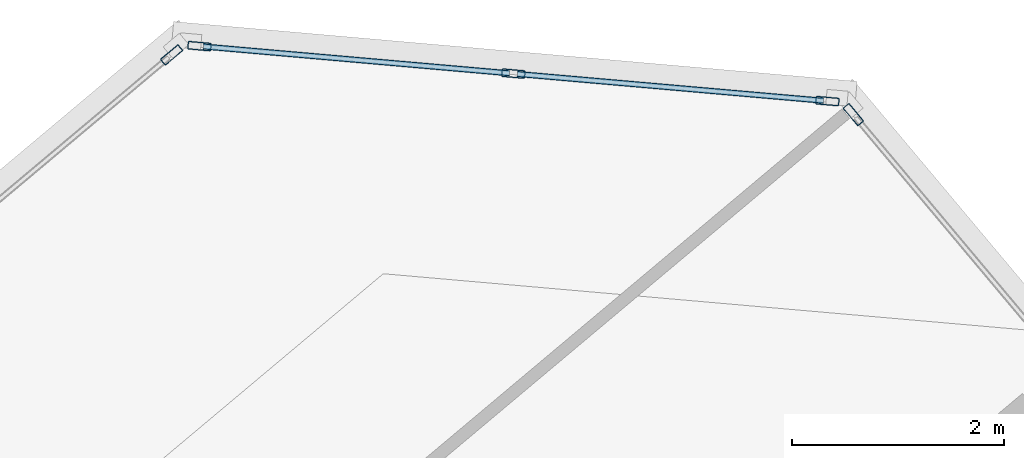
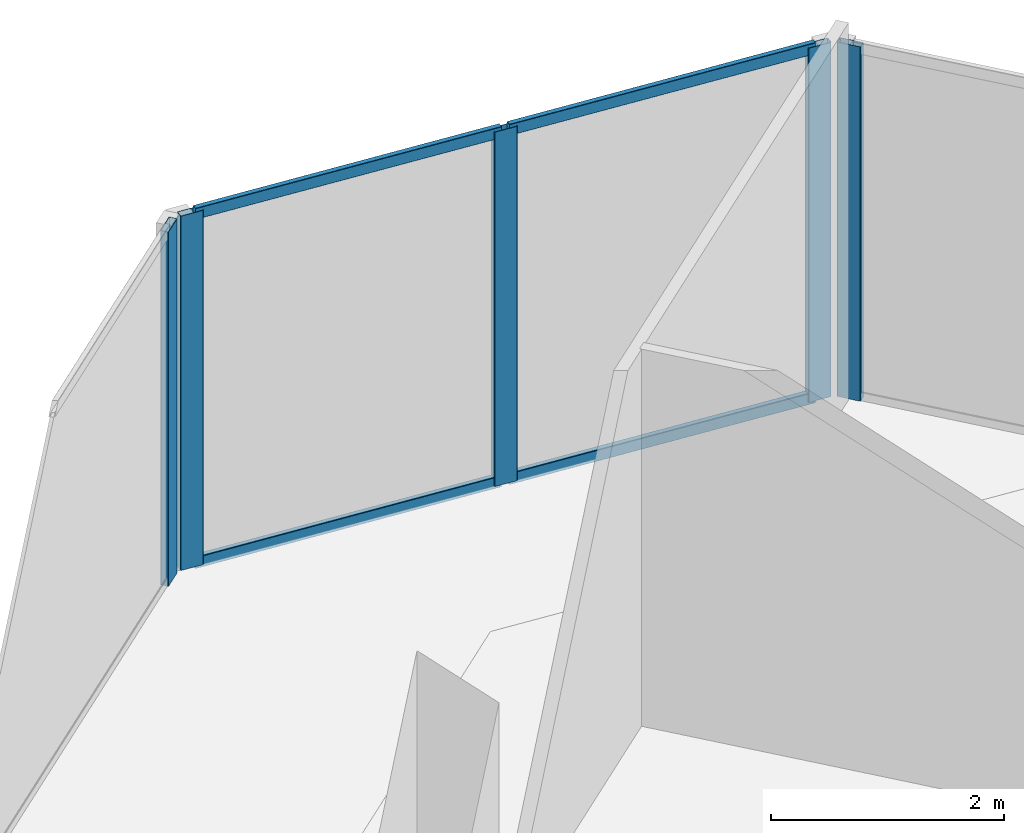
# One storey, part 10 of 17: 9 members, 3 elements without a shape of their own.
"""IFC4 building model written with IfcOpenShell, lengths in metres."""

from ifc_helpers import new_model, si_unit, direction, frame, origin, origin_2d, place, context, subcontext, project, spatial, hollow_rectangle, extrude, source, transform, mapped, material, material_profile, profile_set, type_object, element, aggregate, save


model = new_model("IFC4")

# Units and contexts
model_context = context("Model", 3, precision=1e-05, world=origin(), true_north=direction((0.0, 1.0)))
body_context = subcontext(model_context, "Body", "Model", "MODEL_VIEW")
ifc_project = project(units=[si_unit("LENGTHUNIT", "METRE"), si_unit("AREAUNIT", "SQUARE_METRE"), si_unit("VOLUMEUNIT", "CUBIC_METRE"), si_unit("PLANEANGLEUNIT", "RADIAN"), si_unit("MASSUNIT", "GRAM", prefix="KILO")], contexts=[model_context])

# Site, building, storey
site_placement = place(None, origin())
site = spatial("IfcSite", under=ifc_project, at=site_placement, CompositionType="ELEMENT")
building_placement = place(site_placement, origin())
building = spatial("IfcBuilding", under=site, at=building_placement, Name="Torre Montelarca", CompositionType="ELEMENT")
storey_placement = place(building_placement, frame((0.0, 0.0, 271.0)))
storey = spatial("IfcBuildingStorey", under=building, at=storey_placement, Name="L61", CompositionType="ELEMENT", Elevation=271.0)

# Curtain wall, members
ifc_material_1 = material(Name="Insulated low-E laminated glass", Category="glass")
curtain_wall_type = type_object("IfcCurtainWallType", Name="CW-SYS-Z3", PredefinedType="USERDEFINED", material=ifc_material_1)
curtain_wall_1_placement = place(storey_placement, origin())
curtain_wall_1 = element("IfcCurtainWall", 1, at=curtain_wall_1_placement, inside=storey, type_object=curtain_wall_type, Name="L61 Curtain Wall Run CW-T3-L61-E09-B1", ObjectType="UNITISED GLAZING", PredefinedType="USERDEFINED")
ifc_material_2 = material(Name="Anodised aluminium AA 6063-T6", Category="aluminium")
ifc_material_profile_1 = material_profile(ifc_material_2, hollow_rectangle(XDim=0.054931640625, YDim=0.1201171875, WallThickness=0.00341796875, InnerFilletRadius=0.00341796875, OuterFilletRadius=0.007080078125, at=origin_2d()), Name="ALU55X120X3.5", Category="aluminium")
ifc_profile_set_1 = profile_set([ifc_material_profile_1], Name="Anodised aluminium AA 6063-T6")
member_type_1 = type_object("IfcMemberType", Name="CWT-ALU120", PredefinedType="USERDEFINED", material=ifc_profile_set_1)
shared_shape_1 = source(origin(), body_context, "Body", "SweptSolid", [
    extrude(hollow_rectangle(XDim=0.054931640625, YDim=0.1201171875, WallThickness=0.00341796875, InnerFilletRadius=0.00341796875, OuterFilletRadius=0.007080078125, at=origin_2d()), origin(), (0.0, 0.0, 1.0), 2.903564453125),
])
member_1_placement = place(storey_placement, frame((23.24560546875, 54.714599609375, 0.027587890625), z_axis=(-0.996198826652, 0.08710854021, 0.0), x_axis=(-0.08710854021, -0.996198826652, 0.0)))
member_1 = element("IfcMember", 2, at=member_1_placement, type_object=member_type_1, Name="CW transom 1.1", ObjectType="TRANSOM", PredefinedType="USERDEFINED", context=body_context, shape_type="MappedRepresentation", body=[
    mapped(shared_shape_1, transform((0.0, 0.0, 0.0), scale=1.0)),
])
member_2_placement = place(storey_placement, frame((23.24560546875, 54.714599609375, 3.6923828125), z_axis=(-0.996198826652, 0.08710854021, 0.0), x_axis=(-0.08710854021, -0.996198826652, 0.0)))
member_2 = element("IfcMember", 3, at=member_2_placement, type_object=member_type_1, Name="CW transom 1.2", ObjectType="TRANSOM", PredefinedType="USERDEFINED", context=body_context, shape_type="MappedRepresentation", body=[
    mapped(shared_shape_1, transform((0.0, 0.0, 0.0), scale=1.0)),
])
member_3_placement = place(storey_placement, frame((20.278076171875, 54.97412109375, 0.027587890625), z_axis=(-0.996191526826, 0.087191982893, 0.0), x_axis=(-0.087191982893, -0.996191526826, 0.0)))
member_3 = element("IfcMember", 4, at=member_3_placement, type_object=member_type_1, Name="CW transom 2.1", ObjectType="TRANSOM", PredefinedType="USERDEFINED", context=body_context, shape_type="MappedRepresentation", body=[
    mapped(shared_shape_1, transform((0.0, 0.0, 0.0), scale=1.0)),
])
member_4_placement = place(storey_placement, frame((20.278076171875, 54.97412109375, 3.6923828125), z_axis=(-0.996191526826, 0.087191982893, 0.0), x_axis=(-0.087191982893, -0.996191526826, 0.0)))
member_4 = element("IfcMember", 5, at=member_4_placement, type_object=member_type_1, Name="CW transom 2.2", ObjectType="TRANSOM", PredefinedType="USERDEFINED", context=body_context, shape_type="MappedRepresentation", body=[
    mapped(shared_shape_1, transform((0.0, 0.0, 0.0), scale=1.0)),
])

# Curtain wall, member
curtain_wall_2_placement = place(storey_placement, origin())
curtain_wall_2 = element("IfcCurtainWall", 6, at=curtain_wall_2_placement, inside=storey, type_object=curtain_wall_type, Name="L61 Curtain Wall Run CW-T3-L61-E08-B1", ObjectType="UNITISED GLAZING", PredefinedType="USERDEFINED")
ifc_material_profile_2 = material_profile(ifc_material_2, hollow_rectangle(XDim=0.074951171875, YDim=0.219970703125, WallThickness=0.0048828125, InnerFilletRadius=0.0048828125, OuterFilletRadius=0.010009765625, at=origin_2d()), Name="ALU75X220X5", Category="aluminium")
ifc_profile_set_2 = profile_set([ifc_material_profile_2], Name="Anodised aluminium AA 6063-T6")
member_type_2 = type_object("IfcMemberType", Name="CWM-ALU220", PredefinedType="MULLION", material=ifc_profile_set_2)
shared_shape_2 = source(origin(), body_context, "Body", "SweptSolid", [
    extrude(hollow_rectangle(XDim=0.074951171875, YDim=0.219970703125, WallThickness=0.0048828125, InnerFilletRadius=0.0048828125, OuterFilletRadius=0.010009765625, at=origin_2d()), origin(), (0.0, 0.0, 1.0), 3.719970703125),
])
member_5_placement = place(storey_placement, frame((23.52783203125, 54.583740234375, 0.0), z_axis=(0.0, 0.0, 1.0), x_axis=(-0.766045629367, -0.642786195969, 0.0)))
member_5 = element("IfcMember", 7, at=member_5_placement, type_object=member_type_2, Name="CW mullion 3", PredefinedType="MULLION", context=body_context, shape_type="MappedRepresentation", body=[
    mapped(shared_shape_2, transform((0.0, 0.0, 0.0), scale=1.0)),
])
aggregate(curtain_wall_2, [member_5])

# Member
member_6_placement = place(storey_placement, frame((23.282958984375, 54.711181640625, 0.0), z_axis=(0.0, 0.0, 1.0), x_axis=(-0.087164688188, -0.996193915427, 0.0)))
member_6 = element("IfcMember", 8, at=member_6_placement, type_object=member_type_2, Name="CW mullion 1", PredefinedType="MULLION", context=body_context, shape_type="MappedRepresentation", body=[
    mapped(shared_shape_2, transform((0.0, 0.0, 0.0), scale=1.0)),
])

member_7_placement = place(storey_placement, frame((20.3154296875, 54.970947265625, 0.0), z_axis=(0.0, 0.0, 1.0), x_axis=(-0.087164688188, -0.996193915427, 0.0)))
member_7 = element("IfcMember", 9, at=member_7_placement, type_object=member_type_2, Name="CW mullion 2", PredefinedType="MULLION", context=body_context, shape_type="MappedRepresentation", body=[
    mapped(shared_shape_2, transform((0.0, 0.0, 0.0), scale=1.0)),
])

member_8_placement = place(storey_placement, frame((17.34814453125, 55.23046875, 0.0), z_axis=(0.0, 0.0, 1.0), x_axis=(-0.087164688188, -0.996193915427, 0.0)))
member_8 = element("IfcMember", 10, at=member_8_placement, type_object=member_type_2, Name="CW mullion 3", PredefinedType="MULLION", context=body_context, shape_type="MappedRepresentation", body=[
    mapped(shared_shape_2, transform((0.0, 0.0, 0.0), scale=1.0)),
])

aggregate(curtain_wall_1, [member_6, member_7, member_8, member_1, member_2, member_3, member_4])

# Curtain wall, member
curtain_wall_3_placement = place(storey_placement, origin())
curtain_wall_3 = element("IfcCurtainWall", 11, at=curtain_wall_3_placement, inside=storey, type_object=curtain_wall_type, Name="L61 Curtain Wall Run CW-T3-L61-E10-B1", ObjectType="UNITISED GLAZING", PredefinedType="USERDEFINED")
member_9_placement = place(storey_placement, frame((17.084716796875, 55.1474609375, 0.0), z_axis=(0.0, 0.0, 1.0), x_axis=(0.642788408931, -0.766043772472, 0.0)))
member_9 = element("IfcMember", 12, at=member_9_placement, type_object=member_type_2, Name="CW mullion 1", PredefinedType="MULLION", context=body_context, shape_type="MappedRepresentation", body=[
    mapped(shared_shape_2, transform((0.0, 0.0, 0.0), scale=1.0)),
])
aggregate(curtain_wall_3, [member_9])

save(model, "model.ifc")
